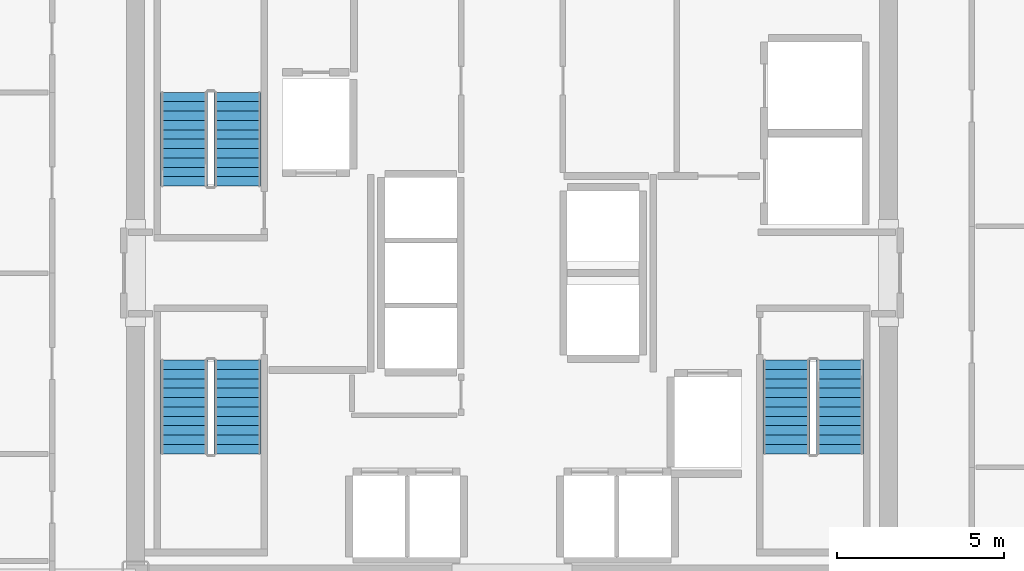
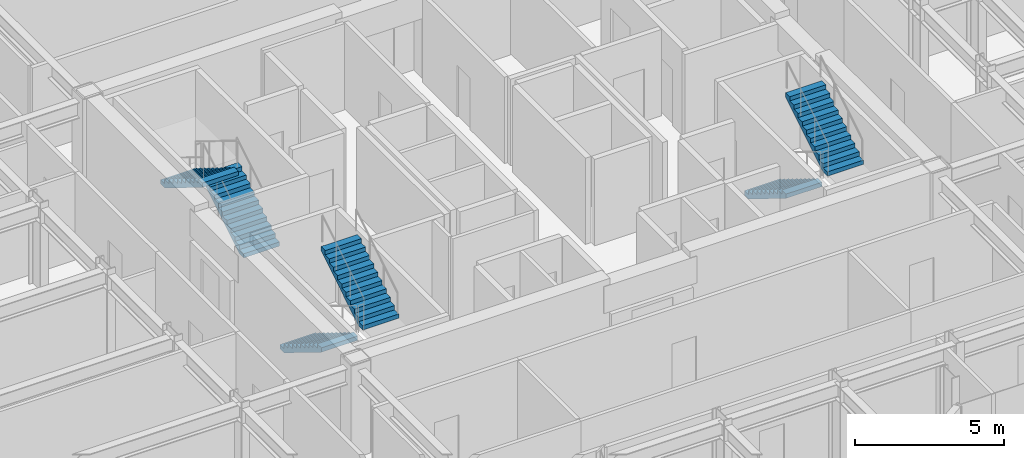
# One storey, part 22 of 23: 6 stair flights, 3 elements without a shape of their own.
"""IFC4 building model written with IfcOpenShell, lengths in metres."""

from ifc_helpers import new_model, si_unit, direction, frame, origin, place, context, subcontext, project, spatial, polyline, outline, extrude, source, transform, mapped, material, type_object, element, aggregate, save


model = new_model("IFC4")

# Units and contexts
model_context = context("Model", 3, precision=1e-05, world=origin(), true_north=direction((0.0, 1.0)))
body_context = subcontext(model_context, "Body", "Model", "MODEL_VIEW")
ifc_project = project(units=[si_unit("LENGTHUNIT", "METRE"), si_unit("AREAUNIT", "SQUARE_METRE"), si_unit("VOLUMEUNIT", "CUBIC_METRE"), si_unit("PLANEANGLEUNIT", "RADIAN"), si_unit("MASSUNIT", "GRAM", prefix="KILO")], contexts=[model_context])

# Site, building, storey
site_placement = place(None, origin())
site = spatial("IfcSite", under=ifc_project, at=site_placement, CompositionType="ELEMENT")
building_placement = place(site_placement, origin())
building = spatial("IfcBuilding", under=site, at=building_placement, Name="Nefas-Gora Pilgrimage Tower", CompositionType="ELEMENT")
storey_placement = place(building_placement, frame((0.0, 0.0, 190.60009765625)))
storey = spatial("IfcBuildingStorey", under=building, at=storey_placement, Name="L47", CompositionType="ELEMENT", Elevation=190.60009765625)

# Stair, stair flights
ifc_material = material(Name="Concrete C45/55", Category="concrete")
stair_type = type_object("IfcStairType", Name="STR-1400-R1727", PredefinedType="HALF_TURN_STAIR", material=ifc_material)
stair_1_placement = place(storey_placement, origin())
stair_1 = element("IfcStair", 1, at=stair_1_placement, inside=storey, type_object=stair_type, Name="L47 Pressurised Tower Exit Stair ST-01", PredefinedType="HALF_TURN_STAIR")
stair_flight_type = type_object("IfcStairFlightType", Name="STF-1400-R1727", PredefinedType="STRAIGHT", material=ifc_material)
shared_shape = source(origin(), body_context, "Body", "SweptSolid", [
    extrude(outline(polyline([(0.0, 0.0), (0.0, 0.172607421875), (0.280029296875, 0.172607421875), (0.280029296875, 0.345458984375), (0.56005859375, 0.345458984375), (0.56005859375, 0.51806640625), (0.840087890625, 0.51806640625), (0.840087890625, 0.69091796875), (1.1201171875, 0.69091796875), (1.1201171875, 0.863525390625), (1.39990234375, 0.863525390625), (1.39990234375, 1.036376953125), (1.679931640625, 1.036376953125), (1.679931640625, 1.208984375), (1.9599609375, 1.208984375), (1.9599609375, 1.3818359375), (2.239990234375, 1.3818359375), (2.239990234375, 1.554443359375), (2.52001953125, 1.554443359375), (2.52001953125, 1.727294921875), (2.800048828125, 1.727294921875), (2.800048828125, 1.89990234375), (2.800048828125, 1.551025390625), (0.285400390625, 0.0), (0.0, 0.0)])), frame((0.0, 0.699951171875, 0.0), z_axis=(0.0, -1.0, 0.0), x_axis=(1.0, 0.0, 0.0)), (0.0, 0.0, 1.0), 1.39990234375),
])
stair_flight_1_placement = place(storey_placement, frame((-8.199951171875, 2.60009765625, 0.0), z_axis=(0.0, 0.0, 1.0), x_axis=(0.0, 1.0, 0.0)))
stair_flight_1 = element("IfcStairFlight", 2, at=stair_flight_1_placement, type_object=stair_flight_type, Name="ST-01 flight 1", NumberOfRisers=11, NumberOfTreads=10, PredefinedType="STRAIGHT", RiserHeight=0.172727273, TreadLength=0.28, context=body_context, shape_type="MappedRepresentation", body=[
    mapped(shared_shape, transform((0.0, 0.0, 0.0), x_axis=(1.0, 0.0, 0.0), y_axis=(0.0, 1.0, 0.0), z_axis=(0.0, 0.0, 1.0), scale=1.0)),
])
stair_flight_2_placement = place(storey_placement, frame((-9.800048828125, 5.39990234375, 1.89990234375), z_axis=(0.0, 0.0, 1.0), x_axis=(0.0, -1.0, 0.0)))
stair_flight_2 = element("IfcStairFlight", 3, at=stair_flight_2_placement, type_object=stair_flight_type, Name="ST-01 flight 2", NumberOfRisers=11, NumberOfTreads=10, PredefinedType="STRAIGHT", RiserHeight=0.172727273, TreadLength=0.28, context=body_context, shape_type="MappedRepresentation", body=[
    mapped(shared_shape, transform((0.0, 0.0, 0.0), x_axis=(1.0, 0.0, 0.0), y_axis=(0.0, 1.0, 0.0), z_axis=(0.0, 0.0, 1.0), scale=1.0)),
])
aggregate(stair_1, [stair_flight_1, stair_flight_2])

stair_2_placement = place(storey_placement, origin())
stair_2 = element("IfcStair", 4, at=stair_2_placement, inside=storey, type_object=stair_type, Name="L47 Pressurised Tower Exit Stair ST-02", PredefinedType="HALF_TURN_STAIR")
stair_flight_3_placement = place(storey_placement, frame((8.199951171875, -2.60009765625, 0.0), z_axis=(0.0, 0.0, 1.0), x_axis=(0.0, -1.0, 0.0)))
stair_flight_3 = element("IfcStairFlight", 5, at=stair_flight_3_placement, type_object=stair_flight_type, Name="ST-02 flight 1", NumberOfRisers=11, NumberOfTreads=10, PredefinedType="STRAIGHT", RiserHeight=0.172727273, TreadLength=0.28, context=body_context, shape_type="MappedRepresentation", body=[
    mapped(shared_shape, transform((0.0, 0.0, 0.0), x_axis=(1.0, 0.0, 0.0), y_axis=(0.0, 1.0, 0.0), z_axis=(0.0, 0.0, 1.0), scale=1.0)),
])
stair_flight_4_placement = place(storey_placement, frame((9.800048828125, -5.39990234375, 1.89990234375), z_axis=(0.0, 0.0, 1.0), x_axis=(0.0, 1.0, 0.0)))
stair_flight_4 = element("IfcStairFlight", 6, at=stair_flight_4_placement, type_object=stair_flight_type, Name="ST-02 flight 2", NumberOfRisers=11, NumberOfTreads=10, PredefinedType="STRAIGHT", RiserHeight=0.172727273, TreadLength=0.28, context=body_context, shape_type="MappedRepresentation", body=[
    mapped(shared_shape, transform((0.0, 0.0, 0.0), x_axis=(1.0, 0.0, 0.0), y_axis=(0.0, 1.0, 0.0), z_axis=(0.0, 0.0, 1.0), scale=1.0)),
])
aggregate(stair_2, [stair_flight_3, stair_flight_4])

stair_3_placement = place(storey_placement, origin())
stair_3 = element("IfcStair", 7, at=stair_3_placement, inside=storey, type_object=stair_type, Name="L47 Pressurised Tower Exit Stair ST-03", PredefinedType="HALF_TURN_STAIR")
stair_flight_5_placement = place(storey_placement, frame((-9.800048828125, -2.60009765625, 0.0), z_axis=(0.0, 0.0, 1.0), x_axis=(0.0, -1.0, 0.0)))
stair_flight_5 = element("IfcStairFlight", 8, at=stair_flight_5_placement, type_object=stair_flight_type, Name="ST-03 flight 1", NumberOfRisers=11, NumberOfTreads=10, PredefinedType="STRAIGHT", RiserHeight=0.172727273, TreadLength=0.28, context=body_context, shape_type="MappedRepresentation", body=[
    mapped(shared_shape, transform((0.0, 0.0, 0.0), x_axis=(1.0, 0.0, 0.0), y_axis=(0.0, 1.0, 0.0), z_axis=(0.0, 0.0, 1.0), scale=1.0)),
])
stair_flight_6_placement = place(storey_placement, frame((-8.199951171875, -5.39990234375, 1.89990234375), z_axis=(0.0, 0.0, 1.0), x_axis=(0.0, 1.0, 0.0)))
stair_flight_6 = element("IfcStairFlight", 9, at=stair_flight_6_placement, type_object=stair_flight_type, Name="ST-03 flight 2", NumberOfRisers=11, NumberOfTreads=10, PredefinedType="STRAIGHT", RiserHeight=0.172727273, TreadLength=0.28, context=body_context, shape_type="MappedRepresentation", body=[
    mapped(shared_shape, transform((0.0, 0.0, 0.0), x_axis=(1.0, 0.0, 0.0), y_axis=(0.0, 1.0, 0.0), z_axis=(0.0, 0.0, 1.0), scale=1.0)),
])
aggregate(stair_3, [stair_flight_5, stair_flight_6])

save(model, "model.ifc")
